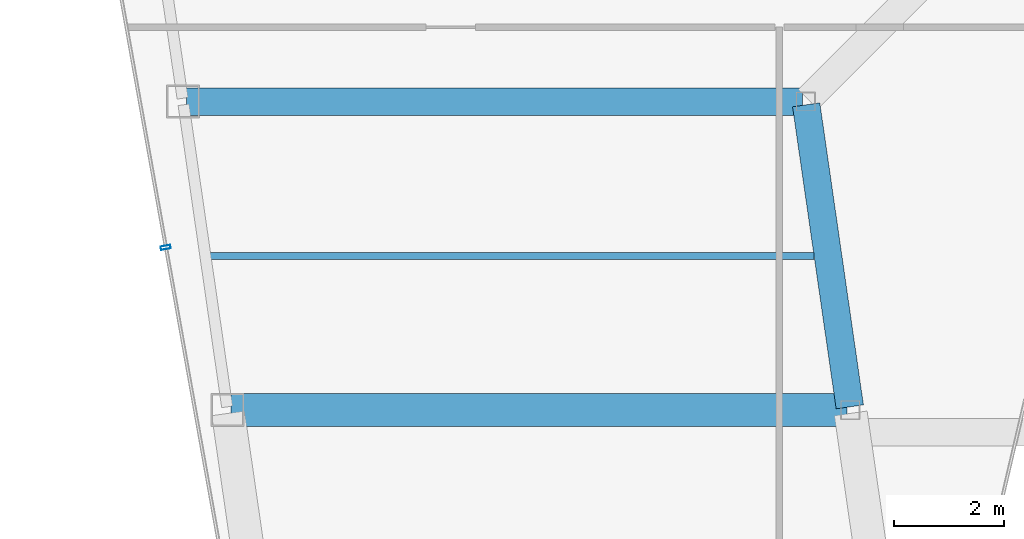
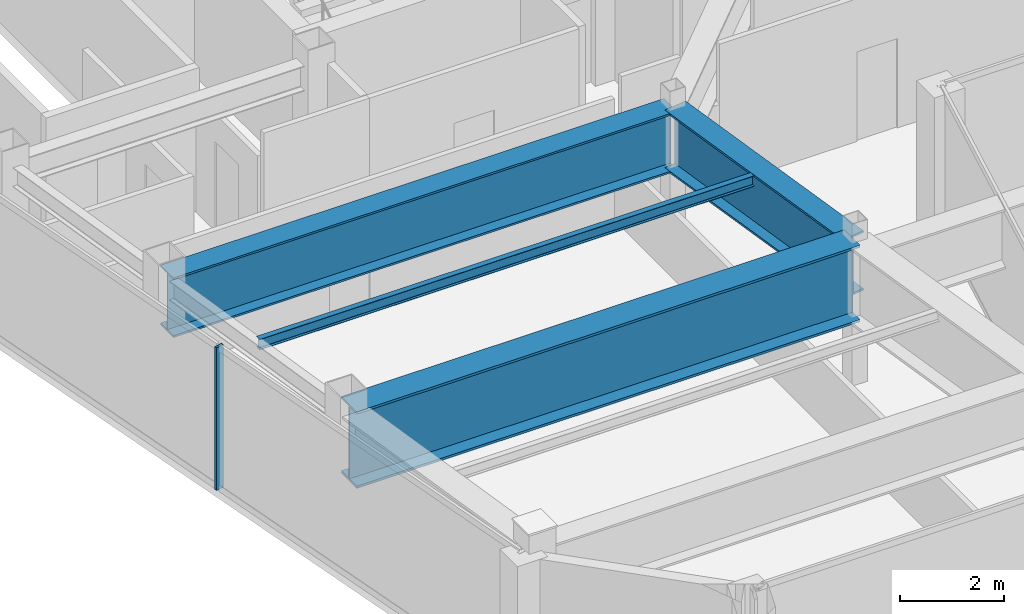
# One storey, part 5 of 30: 4 beams, 1 member, 1 element without a shape of its own.
"""IFC4 building model written with IfcOpenShell, lengths in metres."""

from ifc_helpers import new_model, si_unit, direction, frame, origin, origin_2d, place, context, subcontext, project, spatial, hollow_rectangle, i_section, extrude, material, material_profile, profile_set, type_object, element, aggregate, save


model = new_model("IFC4")

# Units and contexts
model_context = context("Model", 3, precision=1e-05, world=origin(), true_north=direction((0.0, 1.0)))
body_context = subcontext(model_context, "Body", "Model", "MODEL_VIEW")
ifc_project = project(units=[si_unit("LENGTHUNIT", "METRE"), si_unit("AREAUNIT", "SQUARE_METRE"), si_unit("VOLUMEUNIT", "CUBIC_METRE"), si_unit("PLANEANGLEUNIT", "RADIAN"), si_unit("MASSUNIT", "GRAM", prefix="KILO")], contexts=[model_context])

# Site, building, storey
site_placement = place(None, origin())
site = spatial("IfcSite", under=ifc_project, at=site_placement, CompositionType="ELEMENT")
building_placement = place(site_placement, origin())
building = spatial("IfcBuilding", under=site, at=building_placement, Name="Saevonmaru Cultural Tower", CompositionType="ELEMENT")
storey_placement = place(building_placement, frame((0.0, 0.0, 272.39990234375)))
storey = spatial("IfcBuildingStorey", under=building, at=storey_placement, Name="L64", CompositionType="ELEMENT", Elevation=272.39990234375)

# Beams
ifc_material_1 = material(Name="Steel SM355", Category="steel")
ifc_material_profile_1 = material_profile(ifc_material_1, i_section(OverallWidth=0.125, OverallDepth=0.25, WebThickness=0.006103515625, FlangeThickness=0.009033203125, FilletRadius=0.008056640625, at=origin_2d()), Name="H-250x125x6x9")
ifc_profile_set_1 = profile_set([ifc_material_profile_1], Name="Steel SM355")
beam_type_1 = type_object("IfcBeamType", Name="BM-J-H250", PredefinedType="JOIST", material=ifc_profile_set_1)
beam_1_placement = place(storey_placement, frame((7.972412109375, 34.800048828125, 3.22509765625), z_axis=(1.0, 0.0, 0.0), x_axis=(0.0, 1.0, 0.0)))
element("IfcBeam", 1, at=beam_1_placement, inside=storey, type_object=beam_type_1, Name="L64 West Wing Floor Joist 2", PredefinedType="JOIST", context=body_context, shape_type="SweptSolid", body=[
    extrude(i_section(OverallWidth=0.125, OverallDepth=0.25, WebThickness=0.006103515625, FlangeThickness=0.009033203125, FilletRadius=0.008056640625, at=origin_2d()), origin(), (0.0, 0.0, 1.0), 10.982177734375),
])
ifc_material_2 = material(Name="Steel HSA600 (600 MPa)", Category="steel")
ifc_material_profile_2 = material_profile(ifc_material_2, i_section(OverallWidth=0.5, OverallDepth=1.39990234375, WebThickness=0.02392578125, FlangeThickness=0.044921875, at=origin_2d()), Name="PG-1400x500x24x45")
ifc_profile_set_2 = profile_set([ifc_material_profile_2], Name="Steel HSA600 (600 MPa)")
beam_type_2 = type_object("IfcBeamType", Name="BM-TG-PG1400", PredefinedType="BEAM", material=ifc_profile_set_2)
beam_2_placement = place(storey_placement, frame((19.6083984375, 32.059326171875, 2.650146484375), z_axis=(-0.142964121327, 0.989727871697, 0.0), x_axis=(-0.989727871697, -0.142964121327, 0.0)))
element("IfcBeam", 2, at=beam_2_placement, inside=storey, type_object=beam_type_2, Name="L64 West Atrium Girder 2", PredefinedType="BEAM", context=body_context, shape_type="SweptSolid", body=[
    extrude(i_section(OverallWidth=0.5, OverallDepth=1.39990234375, WebThickness=0.02392578125, FlangeThickness=0.044921875, at=origin_2d()), origin(), (0.0, 0.0, 1.0), 5.5380859375),
])
beam_3_placement = place(storey_placement, frame((7.568115234375, 37.60009765625, 2.650146484375), z_axis=(1.0, 0.0, 0.0), x_axis=(0.0, 1.0, 0.0)))
element("IfcBeam", 3, at=beam_3_placement, inside=storey, type_object=beam_type_2, Name="L64 West Wing Transverse Girder 3", PredefinedType="BEAM", context=body_context, shape_type="SweptSolid", body=[
    extrude(i_section(OverallWidth=0.5, OverallDepth=1.39990234375, WebThickness=0.02392578125, FlangeThickness=0.044921875, at=origin_2d()), origin(), (0.0, 0.0, 1.0), 11.179931640625),
])
ifc_material_profile_3 = material_profile(ifc_material_2, i_section(OverallWidth=0.60009765625, OverallDepth=1.800048828125, WebThickness=0.028076171875, FlangeThickness=0.054931640625, at=origin_2d()), Name="PG-1800x600x28x55")
ifc_profile_set_3 = profile_set([ifc_material_profile_3], Name="Steel HSA600 (600 MPa)")
beam_type_3 = type_object("IfcBeamType", Name="BM-TG-PG1800", PredefinedType="BEAM", material=ifc_profile_set_3)
beam_4_placement = place(storey_placement, frame((8.376953125, 32.0, 2.4501953125), z_axis=(1.0, 0.0, 0.0), x_axis=(0.0, 1.0, 0.0)))
element("IfcBeam", 4, at=beam_4_placement, inside=storey, type_object=beam_type_3, Name="L64 West Wing Transverse Girder 2", PredefinedType="BEAM", context=body_context, shape_type="SweptSolid", body=[
    extrude(i_section(OverallWidth=0.60009765625, OverallDepth=1.800048828125, WebThickness=0.028076171875, FlangeThickness=0.054931640625, at=origin_2d()), origin(), (0.0, 0.0, 1.0), 11.179931640625),
])

# Curtain wall, member
ifc_material_3 = material(Name="Satin Bronze Anodised Aluminium", Category="aluminium")
curtain_wall_type = type_object("IfcCurtainWallType", Name="CW-TYP-B", PredefinedType="NOTDEFINED", material=ifc_material_3)
curtain_wall_placement = place(storey_placement, origin())
curtain_wall = element("IfcCurtainWall", 5, at=curtain_wall_placement, inside=storey, type_object=curtain_wall_type, Name="L64 Unitised Curtain Wall E12", PredefinedType="NOTDEFINED")
ifc_material_profile_4 = material_profile(ifc_material_3, hollow_rectangle(XDim=0.06494140625, YDim=0.179931640625, WallThickness=0.00390625, at=origin_2d()), Name="ALU-MULL-180x65x4")
ifc_profile_set_4 = profile_set([ifc_material_profile_4], Name="Satin Bronze Anodised Aluminium")
member_type = type_object("IfcMemberType", Name="ML-CW-180x65", PredefinedType="MULLION", material=ifc_profile_set_4)
member_placement = place(storey_placement, frame((7.193603515625, 34.953125, 0.0), z_axis=(0.0, 0.0, 1.0), x_axis=(0.176140740755, -0.984364993001, 0.0)))
member = element("IfcMember", 6, at=member_placement, type_object=member_type, Name="CW-TW-L64-E12 mullion 3", PredefinedType="MULLION", context=body_context, shape_type="SweptSolid", body=[
    extrude(hollow_rectangle(XDim=0.06494140625, YDim=0.179931640625, WallThickness=0.00390625, at=origin_2d()), origin(), (0.0, 0.0, 1.0), 3.35009765625),
])
aggregate(curtain_wall, [member])

save(model, "model.ifc")
